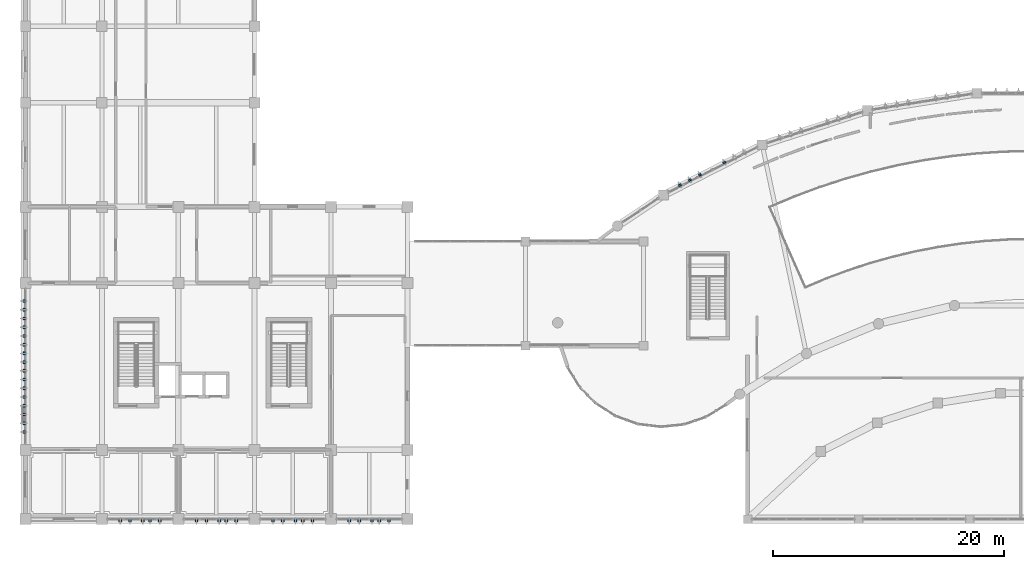
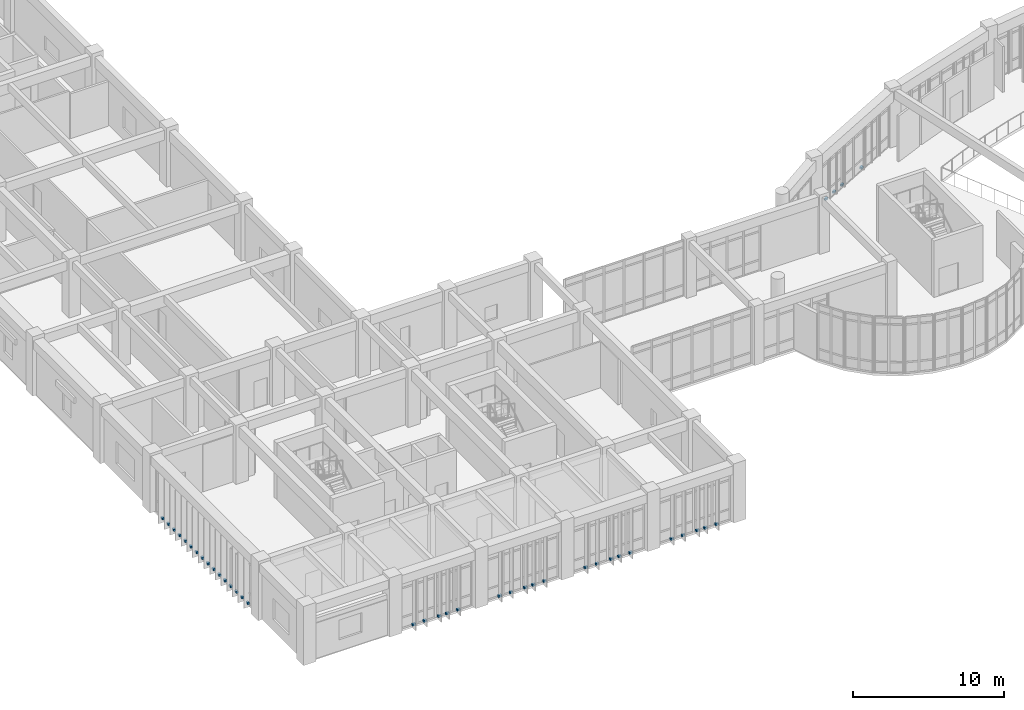
# One storey, part 58 of 68: 40 discrete accessories.
"""IFC4 building model written with IfcOpenShell, lengths in metres."""

import ifcopenshell
import ifcopenshell.guid

model = None  # the IFC model being written
_history = None  # IfcOwnerHistory: only IFC2X3 demands one
_inside = {}  # id of a spatial element -> (the spatial element, [elements in it])
_under = {}  # id of a project, library or spatial element -> (it, [spatial elements below it])
_declared = {}  # id of a project -> (the project, [libraries it declares])
_typed = {}  # id of a type object -> (the type object, [elements of that type])
_made_of = {}  # id of a material, layer set ... -> (it, [elements and type objects made of it])


def new_model(schema):
    """Start an empty IFC model of exactly this schema.

    Asked for "IFC4X3", IfcOpenShell would pick the latest addendum, in which some entities
    have other attributes; the version numbers below select the first issue.
    IFC2X3 requires an IfcOwnerHistory on every rooted entity: one is made here for all.
    """
    global model, _history
    if schema == "IFC4X3":
        model = ifcopenshell.file(schema_version=(4, 3, 0, 0))
    else:
        model = ifcopenshell.file(schema=schema)
    _inside.clear()
    _under.clear()
    _declared.clear()
    _typed.clear()
    _made_of.clear()
    _history = None
    if model.schema == "IFC2X3":
        org = make("IfcOrganization", Name="unknown")
        user = make(
            "IfcPersonAndOrganization",
            ThePerson=make("IfcPerson", FamilyName="unknown"),
            TheOrganization=org,
        )
        app = make(
            "IfcApplication",
            ApplicationDeveloper=org,
            Version="unknown",
            ApplicationFullName="unknown",
            ApplicationIdentifier="unknown",
        )
        _history = make(
            "IfcOwnerHistory",
            OwningUser=user,
            OwningApplication=app,
            ChangeAction="ADDED",
            CreationDate=0,
        )
    return model


def make(cls, **values):
    """One entity of the class cls with the attributes given. An attribute that is None is left unset."""
    return model.create_entity(
        cls, **{name: value for name, value in values.items() if value is not None}
    )


def rooted(cls, **values):
    """An entity with a GlobalId (a new one), such as an element, a storey or a relation."""
    return make(cls, GlobalId=ifcopenshell.guid.new(), OwnerHistory=_history, **values)


def si_unit(unit_type, name, prefix=None):
    """IfcSIUnit, for example si_unit("LENGTHUNIT", "METRE", prefix="MILLI")."""
    return make("IfcSIUnit", UnitType=unit_type, Prefix=prefix, Name=name)


def assignment(units):
    """IfcUnitAssignment: the units of a project."""
    return None if units is None else make("IfcUnitAssignment", Units=units)


def point(xyz):
    """IfcCartesianPoint."""
    return None if xyz is None else make("IfcCartesianPoint", Coordinates=xyz)


def direction(xyz):
    """IfcDirection."""
    return None if xyz is None else make("IfcDirection", DirectionRatios=xyz)


def frame(location, z_axis=None, x_axis=None):
    """IfcAxis2Placement3D, a coordinate frame: its origin and axes. An axis left out is left unset."""
    return make(
        "IfcAxis2Placement3D",
        Location=point(location),
        Axis=direction(z_axis),
        RefDirection=direction(x_axis),
    )


def frame_2d(location, x_axis=None):
    """IfcAxis2Placement2D, a coordinate frame in the plane: its origin and x axis."""
    return make(
        "IfcAxis2Placement2D", Location=point(location), RefDirection=direction(x_axis)
    )


def origin():
    """The frame at (0, 0, 0) with its axes left unset."""
    return frame((0.0, 0.0, 0.0))


def origin_2d():
    """The frame at (0, 0) in the plane with its x axis left unset."""
    return frame_2d((0.0, 0.0))


def place(relative_to, where):
    """IfcLocalPlacement: puts the frame where relative to a parent placement (None: the world)."""
    return make(
        "IfcLocalPlacement", PlacementRelTo=relative_to, RelativePlacement=where
    )


def context(
    kind, dimensions, precision=None, world=None, true_north=None, identifier=None
):
    """IfcGeometricRepresentationContext, for example the 3D "Model" context."""
    return make(
        "IfcGeometricRepresentationContext",
        ContextIdentifier=identifier,
        ContextType=kind,
        CoordinateSpaceDimension=dimensions,
        Precision=precision,
        WorldCoordinateSystem=world,
        TrueNorth=true_north,
    )


def subcontext(parent, identifier, kind, view, scale=None):
    """IfcGeometricRepresentationSubContext, for example "Body" below "Model"."""
    return make(
        "IfcGeometricRepresentationSubContext",
        ContextIdentifier=identifier,
        ContextType=kind,
        ParentContext=parent,
        TargetScale=scale,
        TargetView=view,
    )


def project(units=None, contexts=None):
    """IfcProject with its units and contexts."""
    return rooted(
        "IfcProject",
        Name="project",
        RepresentationContexts=contexts,
        UnitsInContext=assignment(units),
    )


def spatial(cls, under=None, at=None, **own):
    """A site, building, storey or space (cls), placed at a placement, below another one or the project."""
    s = rooted(cls, ObjectPlacement=at, **own)
    if under is not None:
        _under.setdefault(under.id(), (under, []))[1].append(s)
    return s


def profile(cls, at=None, kind="AREA", **sizes):
    """A parametric profile (cls). Its sizes go by their IFC names, for example OverallWidth=200.0."""
    return make(cls, ProfileType=kind, Position=at, **sizes)


def rectangle(**sizes):
    """IfcRectangleProfileDef."""
    return profile("IfcRectangleProfileDef", **sizes)


def extrude(swept, where, along, depth):
    """IfcExtrudedAreaSolid: the profile swept, set in the frame where, extruded along a direction by depth."""
    return make(
        "IfcExtrudedAreaSolid",
        SweptArea=swept,
        Position=where,
        ExtrudedDirection=direction(along),
        Depth=depth,
    )


def shape(context_of_items, identifier, shape_type, items):
    """IfcShapeRepresentation: the items that make up one representation, for example the "Body"."""
    return make(
        "IfcShapeRepresentation",
        ContextOfItems=context_of_items,
        RepresentationIdentifier=identifier,
        RepresentationType=shape_type,
        Items=items,
    )


def material(Name=None, Category=None):
    """IfcMaterial."""
    return make("IfcMaterial", Name=Name, Category=Category)


def made_of(thing, what):
    """Note that an element or type object is made of a material, layer set ...; save() writes the relation."""
    if what is not None:
        _made_of.setdefault(what.id(), (what, []))[1].append(thing)
    return thing


def type_object(cls, material=None, **own):
    """A type object (cls), such as IfcWallType, which elements share."""
    return made_of(rooted(cls, **own), material)


def element(
    cls,
    number,
    at=None,
    inside=None,
    cuts=None,
    type_object=None,
    material=None,
    context=None,
    identifier="Body",
    shape_type=None,
    held_by="IfcProductDefinitionShape",
    body=None,
    shapes=None,
    **own,
):
    """One element of the class cls, such as IfcWall. Its Tag is "e" and its number.

    at: its placement. inside: the storey or other place that contains it. cuts: it is an
    opening in that element (IfcRelVoidsElement). A single representation is given by context,
    identifier, shape_type and body (its items); several are given by shapes. held_by: the class
    of the entity that holds the representations. save() writes the other relations.
    """
    e = rooted(cls, Tag="e%d" % number, ObjectPlacement=at, **own)
    if body is not None:
        shapes = [shape(context, identifier, shape_type, body)]
    if shapes is not None:
        e.Representation = make(held_by, Representations=shapes)
    if inside is not None:
        _inside.setdefault(inside.id(), (inside, []))[1].append(e)
    if cuts is not None:
        rooted(
            "IfcRelVoidsElement", RelatingBuildingElement=cuts, RelatedOpeningElement=e
        )
    if type_object is not None:
        _typed.setdefault(type_object.id(), (type_object, []))[1].append(e)
    return made_of(e, material)


def aggregate(whole, parts):
    """IfcRelAggregates: a whole, such as a stair, and the parts it consists of."""
    return rooted("IfcRelAggregates", RelatingObject=whole, RelatedObjects=parts)


def save(model, path):
    """Write the relations noted so far, then the file.

    IfcRelAggregates (storeys below a building ...), IfcRelContainedInSpatialStructure (elements
    in a storey), IfcRelDefinesByType, IfcRelAssociatesMaterial and IfcRelDeclares: one each for
    every whole, place, type object, material and project.
    """
    for whole, parts in _under.values():
        aggregate(whole, parts)
    for where, things in _inside.values():
        rooted(
            "IfcRelContainedInSpatialStructure",
            RelatedElements=things,
            RelatingStructure=where,
        )
    for kind, things in _typed.values():
        rooted("IfcRelDefinesByType", RelatedObjects=things, RelatingType=kind)
    for what, things in _made_of.values():
        rooted("IfcRelAssociatesMaterial", RelatedObjects=things, RelatingMaterial=what)
    for by, libraries in _declared.values():
        rooted("IfcRelDeclares", RelatingContext=by, RelatedDefinitions=libraries)
    model.write(path)


model = new_model("IFC4")

# Units and contexts
model_context = context("Model", 3, precision=1e-05, world=origin(), true_north=direction((0.0, 1.0)))
body_context = subcontext(model_context, "Body", "Model", "MODEL_VIEW")
ifc_project = project(units=[si_unit("LENGTHUNIT", "METRE"), si_unit("AREAUNIT", "SQUARE_METRE"), si_unit("VOLUMEUNIT", "CUBIC_METRE"), si_unit("PLANEANGLEUNIT", "RADIAN"), si_unit("MASSUNIT", "GRAM", prefix="KILO")], contexts=[model_context])

# Site, building, storey
site_placement = place(None, origin())
site = spatial("IfcSite", under=ifc_project, at=site_placement, CompositionType="ELEMENT")
building_placement = place(site_placement, origin())
building = spatial("IfcBuilding", under=site, at=building_placement, Name="Miralva Faculty of Natural Sciences", CompositionType="ELEMENT")
storey_placement = place(building_placement, frame((0.0, 0.0, 5.39990234375)))
storey = spatial("IfcBuildingStorey", under=building, at=storey_placement, Name="L01", CompositionType="ELEMENT", Elevation=5.39990234375)

# Discrete accessories
ifc_material = material(Name="Steel S355", Category="steel")
discrete_accessory_type = type_object("IfcDiscreteAccessoryType", Name="ACC-BRK01", PredefinedType="BRACKET", material=ifc_material)
for number, where, z_axis, x_axis, name in (
    (1, (59.544921875, 31.867919921875, 0.0400390625), (0.0, 0.0, 1.0), (-0.45399049974, 0.891006524188, 0.0), "Solar fin bracket L01-1"),
    (2, (60.412353515625, 32.31005859375, 0.0400390625), (0.0, 0.0, 1.0), (-0.45399049974, 0.891006524188, 0.0), "Solar fin bracket L01-2"),
    (3, (61.280029296875, 32.751953125, 0.0400390625), (0.0, 0.0, 1.0), (-0.45399049974, 0.891006524188, 0.0), "Solar fin bracket L01-3"),
    (4, (63.39111328125, 33.82763671875, 0.0400390625), (0.0, 0.0, 1.0), (-0.45399049974, 0.891006524188, 0.0), "Solar fin bracket L01-4"),
    (5, (11.18310546875, 2.8798828125, 0.0400390625), (0.0, 0.0, 1.0), (0.0, -1.0, 0.0), "Solar fin bracket L01-189"),
    (6, (12.0390625, 2.8798828125, 0.0400390625), (0.0, 0.0, 1.0), (0.0, -1.0, 0.0), "Solar fin bracket L01-190"),
    (7, (13.135009765625, 2.8798828125, 0.0400390625), (0.0, 0.0, 1.0), (0.0, -1.0, 0.0), "Solar fin bracket L01-191"),
    (8, (13.7509765625, 2.8798828125, 0.0400390625), (0.0, 0.0, 1.0), (0.0, -1.0, 0.0), "Solar fin bracket L01-192"),
    (9, (14.60693359375, 2.8798828125, 0.0400390625), (0.0, 0.0, 1.0), (0.0, -1.0, 0.0), "Solar fin bracket L01-193"),
    (10, (17.783935546875, 2.8798828125, 0.0400390625), (0.0, 0.0, 1.0), (0.0, -1.0, 0.0), "Solar fin bracket L01-194"),
    (11, (18.64208984375, 2.8798828125, 0.0400390625), (0.0, 0.0, 1.0), (0.0, -1.0, 0.0), "Solar fin bracket L01-195"),
    (12, (19.739990234375, 2.8798828125, 0.0400390625), (0.0, 0.0, 1.0), (0.0, -1.0, 0.0), "Solar fin bracket L01-196"),
    (13, (20.35791015625, 2.8798828125, 0.0400390625), (0.0, 0.0, 1.0), (0.0, -1.0, 0.0), "Solar fin bracket L01-197"),
    (14, (21.216064453125, 2.8798828125, 0.0400390625), (0.0, 0.0, 1.0), (0.0, -1.0, 0.0), "Solar fin bracket L01-198"),
    (15, (24.383056640625, 2.8798828125, 0.0400390625), (0.0, 0.0, 1.0), (0.0, -1.0, 0.0), "Solar fin bracket L01-199"),
    (16, (25.239013671875, 2.8798828125, 0.0400390625), (0.0, 0.0, 1.0), (0.0, -1.0, 0.0), "Solar fin bracket L01-200"),
    (17, (26.3349609375, 2.8798828125, 0.0400390625), (0.0, 0.0, 1.0), (0.0, -1.0, 0.0), "Solar fin bracket L01-201"),
    (18, (26.950927734375, 2.8798828125, 0.0400390625), (0.0, 0.0, 1.0), (0.0, -1.0, 0.0), "Solar fin bracket L01-202"),
    (19, (27.806884765625, 2.8798828125, 0.0400390625), (0.0, 0.0, 1.0), (0.0, -1.0, 0.0), "Solar fin bracket L01-203"),
    (20, (30.98388671875, 2.8798828125, 0.0400390625), (0.0, 0.0, 1.0), (0.0, -1.0, 0.0), "Solar fin bracket L01-204"),
    (21, (31.842041015625, 2.8798828125, 0.0400390625), (0.0, 0.0, 1.0), (0.0, -1.0, 0.0), "Solar fin bracket L01-205"),
    (22, (32.93994140625, 2.8798828125, 0.0400390625), (0.0, 0.0, 1.0), (0.0, -1.0, 0.0), "Solar fin bracket L01-206"),
    (23, (33.55810546875, 2.8798828125, 0.0400390625), (0.0, 0.0, 1.0), (0.0, -1.0, 0.0), "Solar fin bracket L01-207"),
    (24, (34.416015625, 2.8798828125, 0.0400390625), (0.0, 0.0, 1.0), (0.0, -1.0, 0.0), "Solar fin bracket L01-208"),
    (25, (2.8798828125, 10.542236328125, 0.0400390625), (0.0, 0.0, 1.0), (-1.0, 0.0, 0.0), "Solar fin bracket L01-209"),
    (26, (2.8798828125, 11.296630859375, 0.0400390625), (0.0, 0.0, 1.0), (-1.0, 0.0, 0.0), "Solar fin bracket L01-210"),
    (27, (2.8798828125, 12.05078125, 0.0400390625), (0.0, 0.0, 1.0), (-1.0, 0.0, 0.0), "Solar fin bracket L01-211"),
    (28, (2.8798828125, 12.805419921875, 0.0400390625), (0.0, 0.0, 1.0), (-1.0, 0.0, 0.0), "Solar fin bracket L01-212"),
    (29, (2.8798828125, 13.559814453125, 0.0400390625), (0.0, 0.0, 1.0), (-1.0, 0.0, 0.0), "Solar fin bracket L01-213"),
    (30, (2.8798828125, 14.314208984375, 0.0400390625), (0.0, 0.0, 1.0), (-1.0, 0.0, 0.0), "Solar fin bracket L01-214"),
    (31, (2.8798828125, 15.068359375, 0.0400390625), (0.0, 0.0, 1.0), (-1.0, 0.0, 0.0), "Solar fin bracket L01-215"),
    (32, (2.8798828125, 15.82275390625, 0.0400390625), (0.0, 0.0, 1.0), (-1.0, 0.0, 0.0), "Solar fin bracket L01-216"),
    (33, (2.8798828125, 16.5771484375, 0.0400390625), (0.0, 0.0, 1.0), (-1.0, 0.0, 0.0), "Solar fin bracket L01-217"),
    (34, (2.8798828125, 17.33154296875, 0.0400390625), (0.0, 0.0, 1.0), (-1.0, 0.0, 0.0), "Solar fin bracket L01-218"),
    (35, (2.8798828125, 18.0859375, 0.0400390625), (0.0, 0.0, 1.0), (-1.0, 0.0, 0.0), "Solar fin bracket L01-219"),
    (36, (2.8798828125, 18.84033203125, 0.0400390625), (0.0, 0.0, 1.0), (-1.0, 0.0, 0.0), "Solar fin bracket L01-220"),
    (37, (2.8798828125, 19.5947265625, 0.0400390625), (0.0, 0.0, 1.0), (-1.0, 0.0, 0.0), "Solar fin bracket L01-221"),
    (38, (2.8798828125, 20.34912109375, 0.0400390625), (0.0, 0.0, 1.0), (-1.0, 0.0, 0.0), "Solar fin bracket L01-222"),
    (39, (2.8798828125, 21.103515625, 0.0400390625), (0.0, 0.0, 1.0), (-1.0, 0.0, 0.0), "Solar fin bracket L01-223"),
    (40, (2.8798828125, 21.85791015625, 0.0400390625), (0.0, 0.0, 1.0), (-1.0, 0.0, 0.0), "Solar fin bracket L01-224"),
):
    element("IfcDiscreteAccessory", number, at=place(storey_placement, frame(where, z_axis=z_axis, x_axis=x_axis)), inside=storey, type_object=discrete_accessory_type, Name=name, PredefinedType="BRACKET", context=body_context, shape_type="SweptSolid", body=[
        extrude(rectangle(XDim=0.159912109375, YDim=0.239990234375, at=origin_2d()), origin(), (0.0, 0.0, 1.0), 0.159912109375),
    ])

save(model, "model.ifc")
